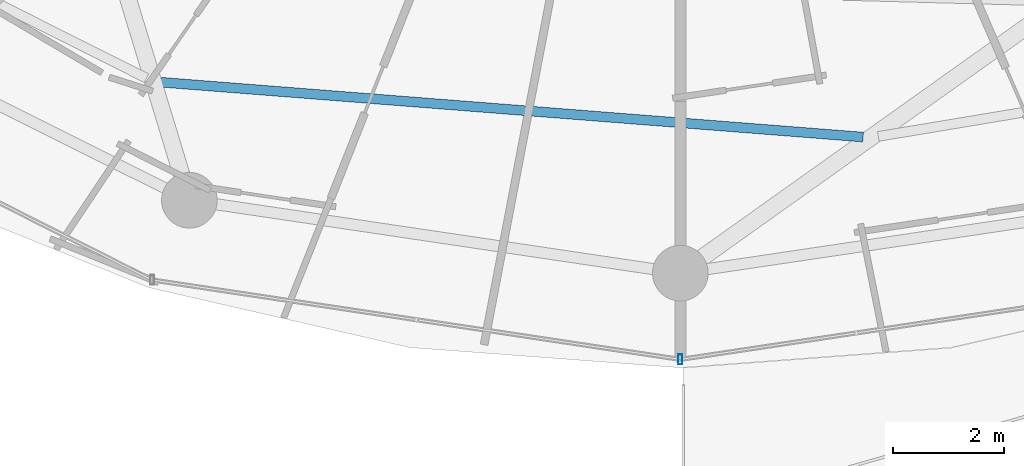
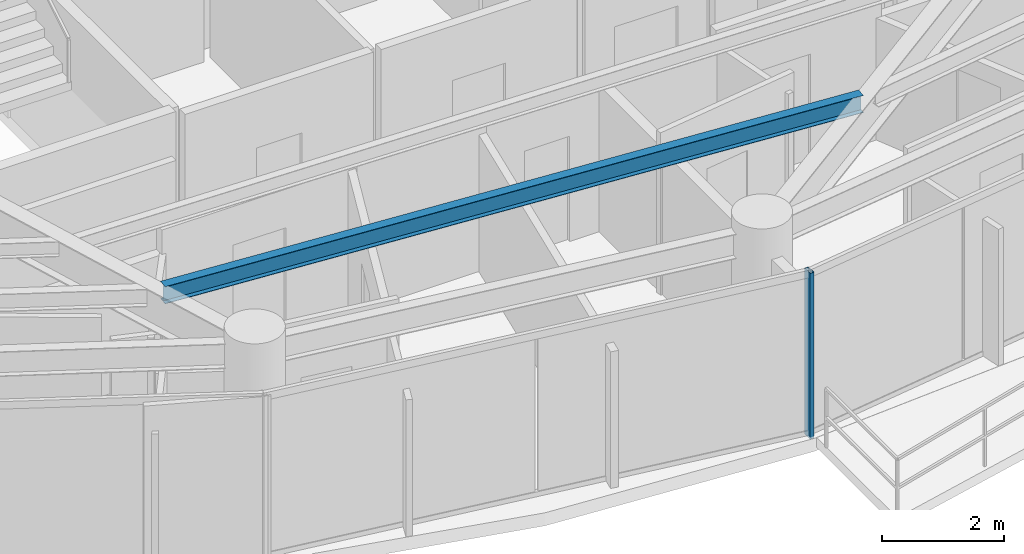
# One storey, part 6 of 31: 1 beam, 1 member, 1 element without a shape of its own.
"""IFC4 building model written with IfcOpenShell, lengths in metres."""

import ifcopenshell
import ifcopenshell.guid

model = None  # the IFC model being written
_history = None  # IfcOwnerHistory: only IFC2X3 demands one
_inside = {}  # id of a spatial element -> (the spatial element, [elements in it])
_under = {}  # id of a project, library or spatial element -> (it, [spatial elements below it])
_declared = {}  # id of a project -> (the project, [libraries it declares])
_typed = {}  # id of a type object -> (the type object, [elements of that type])
_made_of = {}  # id of a material, layer set ... -> (it, [elements and type objects made of it])


def new_model(schema):
    """Start an empty IFC model of exactly this schema.

    Asked for "IFC4X3", IfcOpenShell would pick the latest addendum, in which some entities
    have other attributes; the version numbers below select the first issue.
    IFC2X3 requires an IfcOwnerHistory on every rooted entity: one is made here for all.
    """
    global model, _history
    if schema == "IFC4X3":
        model = ifcopenshell.file(schema_version=(4, 3, 0, 0))
    else:
        model = ifcopenshell.file(schema=schema)
    _inside.clear()
    _under.clear()
    _declared.clear()
    _typed.clear()
    _made_of.clear()
    _history = None
    if model.schema == "IFC2X3":
        org = make("IfcOrganization", Name="unknown")
        user = make(
            "IfcPersonAndOrganization",
            ThePerson=make("IfcPerson", FamilyName="unknown"),
            TheOrganization=org,
        )
        app = make(
            "IfcApplication",
            ApplicationDeveloper=org,
            Version="unknown",
            ApplicationFullName="unknown",
            ApplicationIdentifier="unknown",
        )
        _history = make(
            "IfcOwnerHistory",
            OwningUser=user,
            OwningApplication=app,
            ChangeAction="ADDED",
            CreationDate=0,
        )
    return model


def make(cls, **values):
    """One entity of the class cls with the attributes given. An attribute that is None is left unset."""
    return model.create_entity(
        cls, **{name: value for name, value in values.items() if value is not None}
    )


def rooted(cls, **values):
    """An entity with a GlobalId (a new one), such as an element, a storey or a relation."""
    return make(cls, GlobalId=ifcopenshell.guid.new(), OwnerHistory=_history, **values)


def si_unit(unit_type, name, prefix=None):
    """IfcSIUnit, for example si_unit("LENGTHUNIT", "METRE", prefix="MILLI")."""
    return make("IfcSIUnit", UnitType=unit_type, Prefix=prefix, Name=name)


def assignment(units):
    """IfcUnitAssignment: the units of a project."""
    return None if units is None else make("IfcUnitAssignment", Units=units)


def point(xyz):
    """IfcCartesianPoint."""
    return None if xyz is None else make("IfcCartesianPoint", Coordinates=xyz)


def direction(xyz):
    """IfcDirection."""
    return None if xyz is None else make("IfcDirection", DirectionRatios=xyz)


def frame(location, z_axis=None, x_axis=None):
    """IfcAxis2Placement3D, a coordinate frame: its origin and axes. An axis left out is left unset."""
    return make(
        "IfcAxis2Placement3D",
        Location=point(location),
        Axis=direction(z_axis),
        RefDirection=direction(x_axis),
    )


def frame_2d(location, x_axis=None):
    """IfcAxis2Placement2D, a coordinate frame in the plane: its origin and x axis."""
    return make(
        "IfcAxis2Placement2D", Location=point(location), RefDirection=direction(x_axis)
    )


def origin():
    """The frame at (0, 0, 0) with its axes left unset."""
    return frame((0.0, 0.0, 0.0))


def origin_2d():
    """The frame at (0, 0) in the plane with its x axis left unset."""
    return frame_2d((0.0, 0.0))


def place(relative_to, where):
    """IfcLocalPlacement: puts the frame where relative to a parent placement (None: the world)."""
    return make(
        "IfcLocalPlacement", PlacementRelTo=relative_to, RelativePlacement=where
    )


def context(
    kind, dimensions, precision=None, world=None, true_north=None, identifier=None
):
    """IfcGeometricRepresentationContext, for example the 3D "Model" context."""
    return make(
        "IfcGeometricRepresentationContext",
        ContextIdentifier=identifier,
        ContextType=kind,
        CoordinateSpaceDimension=dimensions,
        Precision=precision,
        WorldCoordinateSystem=world,
        TrueNorth=true_north,
    )


def subcontext(parent, identifier, kind, view, scale=None):
    """IfcGeometricRepresentationSubContext, for example "Body" below "Model"."""
    return make(
        "IfcGeometricRepresentationSubContext",
        ContextIdentifier=identifier,
        ContextType=kind,
        ParentContext=parent,
        TargetScale=scale,
        TargetView=view,
    )


def project(units=None, contexts=None):
    """IfcProject with its units and contexts."""
    return rooted(
        "IfcProject",
        Name="project",
        RepresentationContexts=contexts,
        UnitsInContext=assignment(units),
    )


def spatial(cls, under=None, at=None, **own):
    """A site, building, storey or space (cls), placed at a placement, below another one or the project."""
    s = rooted(cls, ObjectPlacement=at, **own)
    if under is not None:
        _under.setdefault(under.id(), (under, []))[1].append(s)
    return s


def profile(cls, at=None, kind="AREA", **sizes):
    """A parametric profile (cls). Its sizes go by their IFC names, for example OverallWidth=200.0."""
    return make(cls, ProfileType=kind, Position=at, **sizes)


def hollow_rectangle(**sizes):
    """IfcRectangleHollowProfileDef."""
    return profile("IfcRectangleHollowProfileDef", **sizes)


def i_section(**sizes):
    """IfcIShapeProfileDef."""
    return profile("IfcIShapeProfileDef", **sizes)


def extrude(swept, where, along, depth):
    """IfcExtrudedAreaSolid: the profile swept, set in the frame where, extruded along a direction by depth."""
    return make(
        "IfcExtrudedAreaSolid",
        SweptArea=swept,
        Position=where,
        ExtrudedDirection=direction(along),
        Depth=depth,
    )


def shape(context_of_items, identifier, shape_type, items):
    """IfcShapeRepresentation: the items that make up one representation, for example the "Body"."""
    return make(
        "IfcShapeRepresentation",
        ContextOfItems=context_of_items,
        RepresentationIdentifier=identifier,
        RepresentationType=shape_type,
        Items=items,
    )


def material(Name=None, Category=None):
    """IfcMaterial."""
    return make("IfcMaterial", Name=Name, Category=Category)


def material_profile(
    of_material, cross_section, Name=None, Category=None, Priority=None
):
    """IfcMaterialProfile: a cross section and its material."""
    return make(
        "IfcMaterialProfile",
        Name=Name,
        Material=of_material,
        Profile=cross_section,
        Priority=Priority,
        Category=Category,
    )


def profile_set(profiles, Name=None, composite=None):
    """IfcMaterialProfileSet."""
    return make(
        "IfcMaterialProfileSet",
        Name=Name,
        MaterialProfiles=profiles,
        CompositeProfile=composite,
    )


def made_of(thing, what):
    """Note that an element or type object is made of a material, layer set ...; save() writes the relation."""
    if what is not None:
        _made_of.setdefault(what.id(), (what, []))[1].append(thing)
    return thing


def type_object(cls, material=None, **own):
    """A type object (cls), such as IfcWallType, which elements share."""
    return made_of(rooted(cls, **own), material)


def element(
    cls,
    number,
    at=None,
    inside=None,
    cuts=None,
    type_object=None,
    material=None,
    context=None,
    identifier="Body",
    shape_type=None,
    held_by="IfcProductDefinitionShape",
    body=None,
    shapes=None,
    **own,
):
    """One element of the class cls, such as IfcWall. Its Tag is "e" and its number.

    at: its placement. inside: the storey or other place that contains it. cuts: it is an
    opening in that element (IfcRelVoidsElement). A single representation is given by context,
    identifier, shape_type and body (its items); several are given by shapes. held_by: the class
    of the entity that holds the representations. save() writes the other relations.
    """
    e = rooted(cls, Tag="e%d" % number, ObjectPlacement=at, **own)
    if body is not None:
        shapes = [shape(context, identifier, shape_type, body)]
    if shapes is not None:
        e.Representation = make(held_by, Representations=shapes)
    if inside is not None:
        _inside.setdefault(inside.id(), (inside, []))[1].append(e)
    if cuts is not None:
        rooted(
            "IfcRelVoidsElement", RelatingBuildingElement=cuts, RelatedOpeningElement=e
        )
    if type_object is not None:
        _typed.setdefault(type_object.id(), (type_object, []))[1].append(e)
    return made_of(e, material)


def aggregate(whole, parts):
    """IfcRelAggregates: a whole, such as a stair, and the parts it consists of."""
    return rooted("IfcRelAggregates", RelatingObject=whole, RelatedObjects=parts)


def save(model, path):
    """Write the relations noted so far, then the file.

    IfcRelAggregates (storeys below a building ...), IfcRelContainedInSpatialStructure (elements
    in a storey), IfcRelDefinesByType, IfcRelAssociatesMaterial and IfcRelDeclares: one each for
    every whole, place, type object, material and project.
    """
    for whole, parts in _under.values():
        aggregate(whole, parts)
    for where, things in _inside.values():
        rooted(
            "IfcRelContainedInSpatialStructure",
            RelatedElements=things,
            RelatingStructure=where,
        )
    for kind, things in _typed.values():
        rooted("IfcRelDefinesByType", RelatedObjects=things, RelatingType=kind)
    for what, things in _made_of.values():
        rooted("IfcRelAssociatesMaterial", RelatedObjects=things, RelatingMaterial=what)
    for by, libraries in _declared.values():
        rooted("IfcRelDeclares", RelatingContext=by, RelatedDefinitions=libraries)
    model.write(path)


model = new_model("IFC4")

# Units and contexts
model_context = context("Model", 3, precision=1e-05, world=origin(), true_north=direction((0.0, 1.0)))
body_context = subcontext(model_context, "Body", "Model", "MODEL_VIEW")
ifc_project = project(units=[si_unit("LENGTHUNIT", "METRE"), si_unit("AREAUNIT", "SQUARE_METRE"), si_unit("VOLUMEUNIT", "CUBIC_METRE"), si_unit("PLANEANGLEUNIT", "RADIAN"), si_unit("MASSUNIT", "GRAM", prefix="KILO")], contexts=[model_context])

# Site, building, storey
site_placement = place(None, origin())
site = spatial("IfcSite", under=ifc_project, at=site_placement, CompositionType="ELEMENT")
building_placement = place(site_placement, origin())
building = spatial("IfcBuilding", under=site, at=building_placement, Name="Vorneva Point Tower", CompositionType="ELEMENT")
storey_placement = place(building_placement, frame((0.0, 0.0, 129.10009765625)))
storey = spatial("IfcBuildingStorey", under=building, at=storey_placement, Name="L34", CompositionType="ELEMENT", Elevation=129.10009765625)

# Beam
ifc_material_1 = material(Name="Steel S355", Category="steel")
ifc_material_profile_1 = material_profile(ifc_material_1, i_section(OverallWidth=0.174072265625, OverallDepth=0.345947265625, WebThickness=0.006103515625, FlangeThickness=0.009033203125, at=origin_2d()), Name="35B1")
ifc_profile_set_1 = profile_set([ifc_material_profile_1], Name="Steel S355")
beam_type = type_object("IfcBeamType", Name="BM-SEC-35B1", PredefinedType="BEAM", material=ifc_profile_set_1)
beam_placement = place(storey_placement, frame((28.668212890625, 12.22998046875, 3.06689453125), z_axis=(0.996963101117, -0.077875381295, 0.0), x_axis=(0.077875381295, 0.996963101117, 0.0)))
element("IfcBeam", 1, at=beam_placement, inside=storey, type_object=beam_type, Name="L34 Secondary Floor Beam 1.12", PredefinedType="BEAM", context=body_context, shape_type="SweptSolid", body=[
    extrude(i_section(OverallWidth=0.174072265625, OverallDepth=0.345947265625, WebThickness=0.006103515625, FlangeThickness=0.009033203125, at=origin_2d()), origin(), (0.0, 0.0, 1.0), 12.65283203125),
])

# Curtain wall, member
ifc_material_2 = material(Name="Pale anodised aluminium", Category="aluminium")
curtain_wall_type = type_object("IfcCurtainWallType", Name="CW-RES-SYS", PredefinedType="NOTDEFINED", material=ifc_material_2)
curtain_wall_placement = place(storey_placement, origin())
curtain_wall = element("IfcCurtainWall", 2, at=curtain_wall_placement, inside=storey, type_object=curtain_wall_type, Name="L34 Unitised Curtain Wall CW-L34-R04", PredefinedType="NOTDEFINED")
ifc_material_profile_2 = material_profile(ifc_material_2, hollow_rectangle(XDim=0.074951171875, YDim=0.179931640625, WallThickness=0.00390625, at=origin_2d()), Name="AL-MUL 180x75x4")
ifc_profile_set_2 = profile_set([ifc_material_profile_2], Name="Pale anodised aluminium")
member_type = type_object("IfcMemberType", Name="CW-MUL-180", PredefinedType="MULLION", material=ifc_profile_set_2)
member_placement = place(storey_placement, frame((38.0, 7.25, -0.0400390625), z_axis=(0.0, 0.0, 1.0), x_axis=(1.0, 0.0, 0.0)))
member = element("IfcMember", 3, at=member_placement, type_object=member_type, Name="CW-L34-R04 Mullion 03", PredefinedType="MULLION", context=body_context, shape_type="SweptSolid", body=[
    extrude(hollow_rectangle(XDim=0.074951171875, YDim=0.179931640625, WallThickness=0.00390625, at=origin_2d()), origin(), (0.0, 0.0, 1.0), 3.31005859375),
])
aggregate(curtain_wall, [member])

save(model, "model.ifc")
